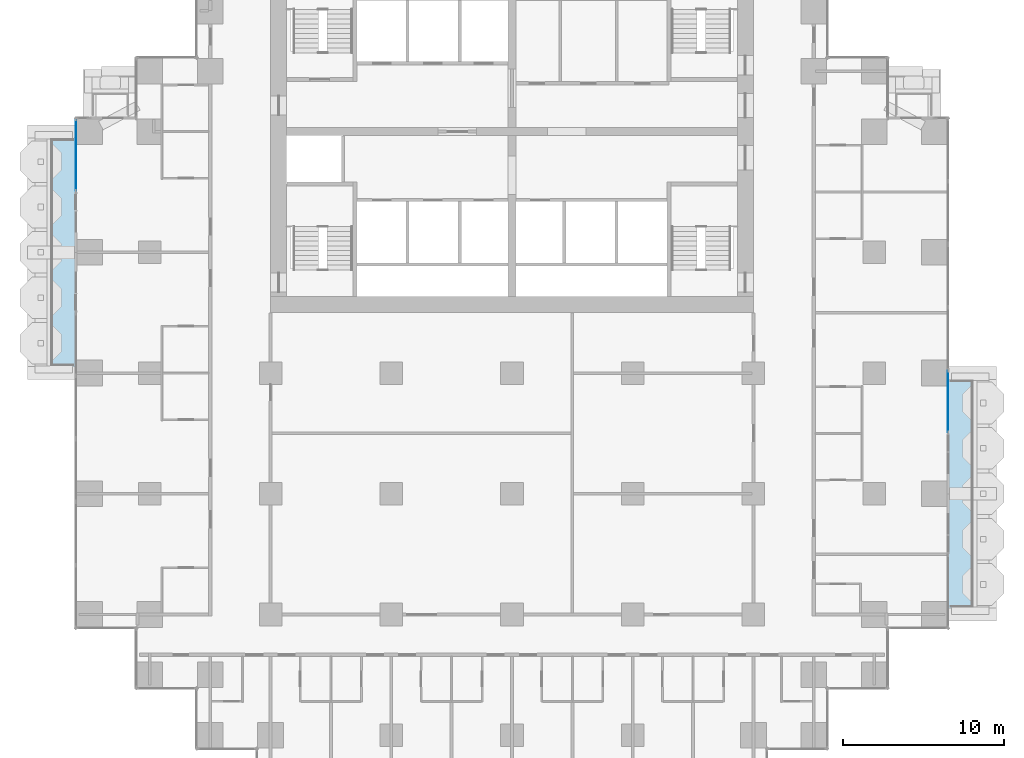
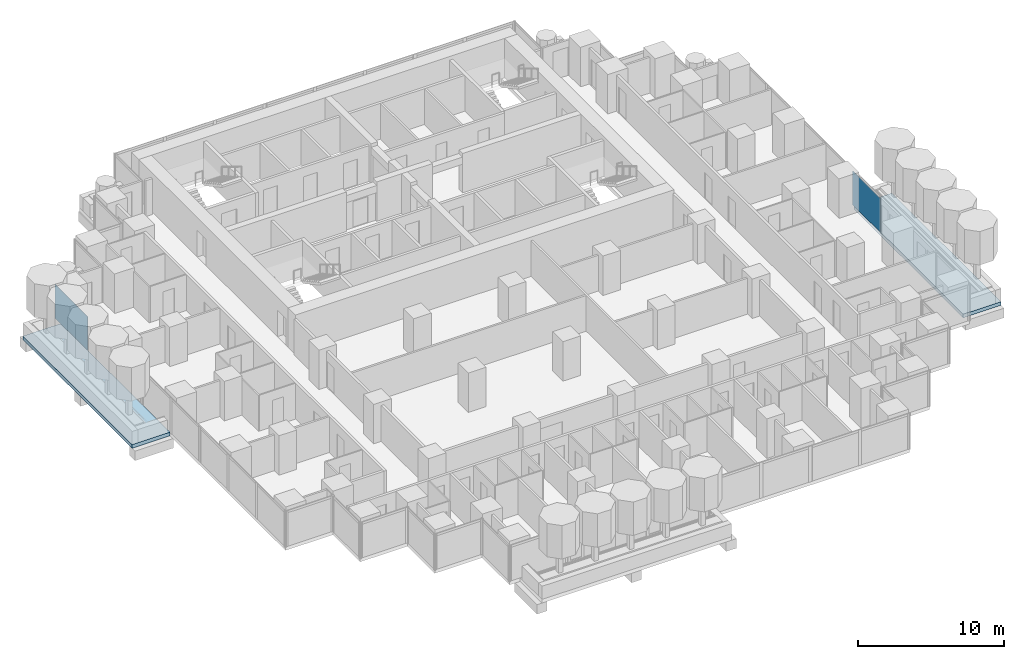
# One storey, part 7 of 17: 2 plates, 2 slabs, 2 elements without a shape of their own.
"""IFC4 building model written with IfcOpenShell, lengths in metres."""

from ifc_helpers import new_model, si_unit, direction, frame, origin, origin_2d, place, context, subcontext, project, spatial, polyline, rectangle, outline, extrude, material, layer, layer_set, type_object, element, aggregate, save


model = new_model("IFC4")

# Units and contexts
model_context = context("Model", 3, precision=1e-05, world=origin(), true_north=direction((0.0, 1.0)))
body_context = subcontext(model_context, "Body", "Model", "MODEL_VIEW")
ifc_project = project(units=[si_unit("LENGTHUNIT", "METRE"), si_unit("AREAUNIT", "SQUARE_METRE"), si_unit("VOLUMEUNIT", "CUBIC_METRE"), si_unit("PLANEANGLEUNIT", "RADIAN"), si_unit("MASSUNIT", "GRAM", prefix="KILO")], contexts=[model_context])

# Site, building, storey
site_placement = place(None, origin())
site = spatial("IfcSite", under=ifc_project, at=site_placement, CompositionType="ELEMENT")
building_placement = place(site_placement, origin())
building = spatial("IfcBuilding", under=site, at=building_placement, Name="Pilkhan Gate Tower", CompositionType="ELEMENT")
storey_placement = place(building_placement, frame((0.0, 0.0, 49.39990234375)))
storey = spatial("IfcBuildingStorey", under=building, at=storey_placement, Name="L09", CompositionType="ELEMENT", Elevation=49.39990234375)

# Slabs
ifc_material_1 = material(Name="Concrete C60/75", Category="concrete")
ifc_layer_1 = layer(ifc_material_1, 0.300048828125)
ifc_layer_set_1 = layer_set([ifc_layer_1], Name="Balcony tray slab TR300")
slab_type = type_object("IfcSlabType", Name="Balcony tray slab TR300", PredefinedType="FLOOR", material=ifc_layer_set_1)
slab_1_placement = place(storey_placement, frame((0.0, 0.0, -0.2998046875)))
element("IfcSlab", 1, at=slab_1_placement, inside=storey, type_object=slab_type, Name="Balcony tray L09 E", PredefinedType="FLOOR", context=body_context, shape_type="SweptSolid", body=[
    extrude(outline(polyline([(105.10009765625, 52.5), (105.10009765625, 67.5), (102.10009765625, 67.5), (102.10009765625, 52.5), (105.10009765625, 52.5)])), origin(), (0.0, 0.0, 1.0), 0.2998046875),
])
slab_2_placement = place(storey_placement, frame((0.0, 0.0, -0.2998046875)))
element("IfcSlab", 2, at=slab_2_placement, inside=storey, type_object=slab_type, Name="Balcony tray L09 W", PredefinedType="FLOOR", context=body_context, shape_type="SweptSolid", body=[
    extrude(outline(polyline([(47.89990234375, 67.5), (47.89990234375, 82.5), (44.89990234375, 82.5), (44.89990234375, 67.5), (47.89990234375, 67.5)])), origin(), (0.0, 0.0, 1.0), 0.2998046875),
])

# Curtain wall, plate
ifc_material_2 = material(Name="Pale anodised aluminium, clear low-iron double glazing", Category="aluminium")
curtain_wall_type = type_object("IfcCurtainWallType", Name="Hotel unitised curtain wall CW-H", PredefinedType="USERDEFINED", material=ifc_material_2)
curtain_wall_1_placement = place(storey_placement, origin())
curtain_wall_1 = element("IfcCurtainWall", 3, at=curtain_wall_1_placement, inside=storey, type_object=curtain_wall_type, Name="Hotel unitised curtain wall CW-H L09 E", ObjectType="UNITISED CURTAIN WALL", PredefinedType="USERDEFINED")
ifc_material_3 = material(Name="Clear low-iron double glazing", Category="glass")
ifc_layer_2 = layer(ifc_material_3, 0.035888671875)
ifc_layer_set_2 = layer_set([ifc_layer_2], Name="Glass panel CW-H 36")
plate_type = type_object("IfcPlateType", Name="Glass panel CW-H 36", PredefinedType="CURTAIN_PANEL", material=ifc_layer_set_2)
plate_1_placement = place(storey_placement, frame((102.094970703125, 65.725830078125, 0.0), z_axis=(0.0, 0.0, 1.0), x_axis=(0.0, 1.0, 0.0)))
plate_1 = element("IfcPlate", 4, at=plate_1_placement, type_object=plate_type, Name="CW-H panel 1", PredefinedType="CURTAIN_PANEL", context=body_context, shape_type="SweptSolid", body=[
    extrude(rectangle(XDim=3.821533203125, YDim=0.035888671875, at=origin_2d()), origin(), (0.0, 0.0, 1.0), 2.820068359375),
])
aggregate(curtain_wall_1, [plate_1])

curtain_wall_2_placement = place(storey_placement, origin())
curtain_wall_2 = element("IfcCurtainWall", 5, at=curtain_wall_2_placement, inside=storey, type_object=curtain_wall_type, Name="Hotel unitised curtain wall CW-H L09 W", ObjectType="UNITISED CURTAIN WALL", PredefinedType="USERDEFINED")
plate_2_placement = place(storey_placement, frame((47.905029296875, 81.047607421875, 0.0), z_axis=(0.0, 0.0, 1.0), x_axis=(0.0, 1.0, 0.0)))
plate_2 = element("IfcPlate", 6, at=plate_2_placement, type_object=plate_type, Name="CW-H panel 1", PredefinedType="CURTAIN_PANEL", context=body_context, shape_type="SweptSolid", body=[
    extrude(rectangle(XDim=4.465087890625, YDim=0.035888671875, at=origin_2d()), origin(), (0.0, 0.0, 1.0), 2.820068359375),
])
aggregate(curtain_wall_2, [plate_2])

save(model, "model.ifc")
